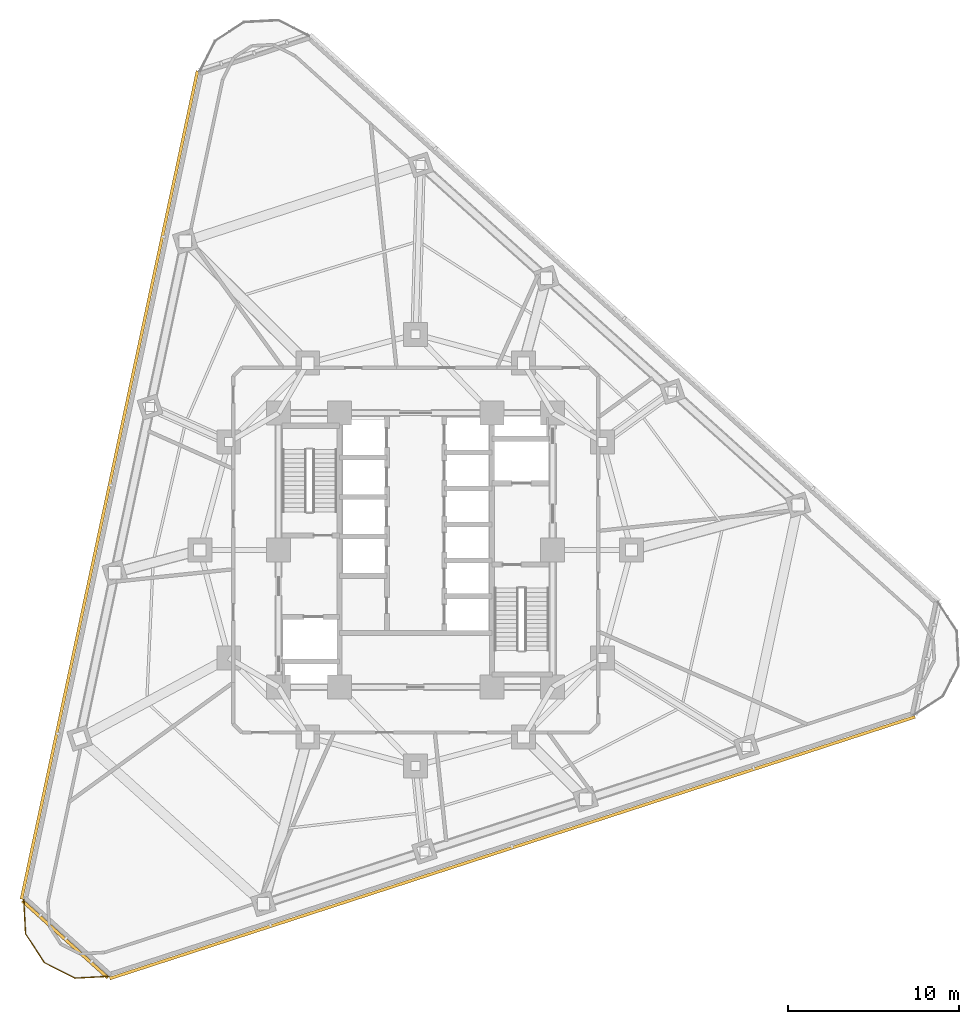
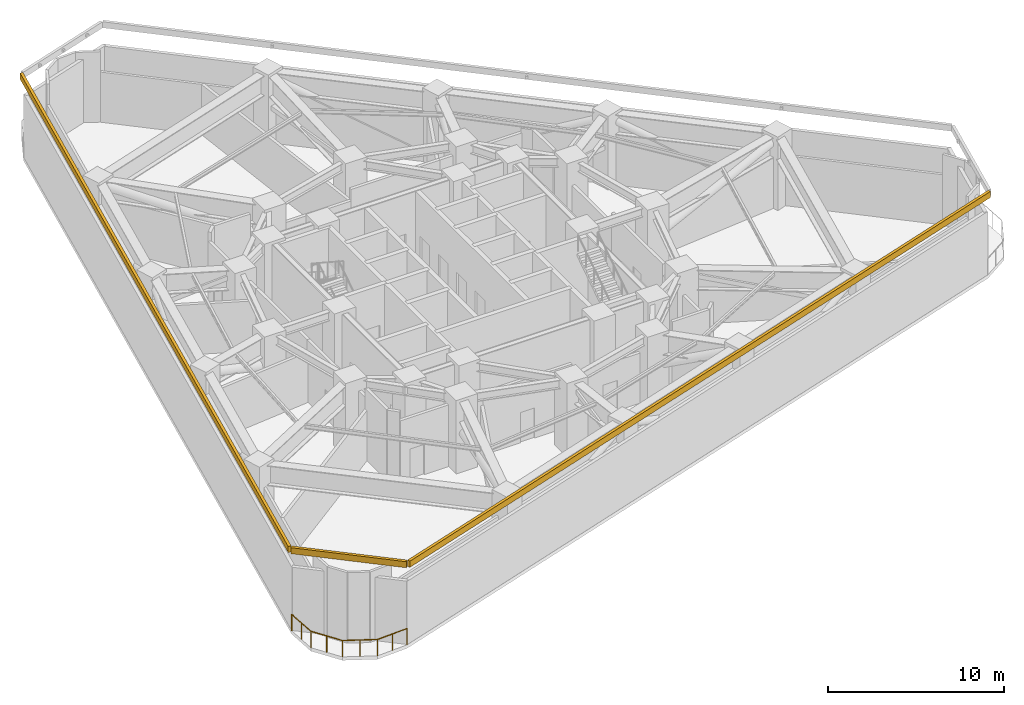
# One storey, part 8 of 10: 3 shading devices, 1 railing.
"""IFC4 building model written with IfcOpenShell, lengths in metres."""

from ifc_helpers import new_model, si_unit, direction, frame, origin, origin_2d, place, context, subcontext, project, spatial, rectangle, circle, extrude, material, layer, layer_set, type_object, element, save


model = new_model("IFC4")

# Units and contexts
model_context = context("Model", 3, precision=1e-05, world=origin(), true_north=direction((0.0, 1.0)))
body_context = subcontext(model_context, "Body", "Model", "MODEL_VIEW")
ifc_project = project(units=[si_unit("LENGTHUNIT", "METRE"), si_unit("AREAUNIT", "SQUARE_METRE"), si_unit("VOLUMEUNIT", "CUBIC_METRE"), si_unit("PLANEANGLEUNIT", "RADIAN"), si_unit("MASSUNIT", "GRAM", prefix="KILO")], contexts=[model_context])

# Site, building, storey
site_placement = place(None, origin())
site = spatial("IfcSite", under=ifc_project, at=site_placement, CompositionType="ELEMENT")
building_placement = place(site_placement, origin())
building = spatial("IfcBuilding", under=site, at=building_placement, Name="Terralouvre Media Tower", CompositionType="ELEMENT")
storey_placement = place(building_placement, frame((0.0, 0.0, 85.199951171875)))
storey = spatial("IfcBuildingStorey", under=building, at=storey_placement, Name="L21", CompositionType="ELEMENT", Elevation=85.199951171875)

# Shading devices
ifc_material_1 = material(Name="Extruded terracotta baguette sunshade louvres", Category="masonry")
shading_device_type = type_object("IfcShadingDeviceType", Name="Refuge Plant Acoustic Terracotta Louvre Grill TB-LV2", PredefinedType="JALOUSIE", material=ifc_material_1)
for number, where, z_axis, x_axis, name in (
    (1, (5.646484375, -17.377685546875, 5.486083984375), (0.0, 0.0, 1.0), (0.951056509451, 0.309017015439, 0.0), "CW-L21-F0 Refuge Acoustic Terracotta Louvre"),
    (2, (-17.872802734375, 3.799072265625, 5.486083984375), (0.0, 0.0, 1.0), (-0.207911643887, -0.978147610709, 0.0), "CW-L21-F2 Refuge Acoustic Terracotta Louvre"),
):
    element("IfcShadingDevice", number, at=place(storey_placement, frame(where, z_axis=z_axis, x_axis=x_axis)), inside=storey, type_object=shading_device_type, Name=name, PredefinedType="JALOUSIE", context=body_context, shape_type="SweptSolid", body=[
        extrude(rectangle(XDim=49.43994140625, YDim=0.179931640625, at=origin_2d()), origin(), (0.0, 0.0, 1.0), 0.419921875),
    ])
shading_device_placement = place(storey_placement, frame((-20.46484375, -22.728515625, 5.486083984375), z_axis=(0.0, 0.0, 1.0), x_axis=(0.743144668471, -0.669130780732, 0.0)))
element("IfcShadingDevice", 3, at=shading_device_placement, inside=storey, type_object=shading_device_type, Name="CW-L21-C0 Refuge Acoustic Terracotta Louvre", PredefinedType="JALOUSIE", context=body_context, shape_type="SweptSolid", body=[
    extrude(rectangle(XDim=6.720458984375, YDim=0.179931640625, at=origin_2d()), origin(), (0.0, 0.0, 1.0), 0.419921875),
])

# Railing
ifc_material_2 = material(Name="Stainless steel 316 handrail and balustrade", Category="steel")
ifc_layer = layer(ifc_material_2, 0.06005859375, Name="Roof Edge Safety Guardrail GR-ROOF1")
ifc_layer_set = layer_set([ifc_layer], Name="Stainless steel 316 handrail and balustrade")
railing_type = type_object("IfcRailingType", Name="Roof Edge Safety Guardrail GR-ROOF1", PredefinedType="GUARDRAIL", material=ifc_layer_set)
railing_placement = place(storey_placement, frame((-22.8837890625, -20.395751953125, 0.0)))
element("IfcRailing", 4, at=railing_placement, inside=storey, type_object=railing_type, Name="L21 Wind-Corner Perimeter Safety Guardrail C0", PredefinedType="GUARDRAIL", context=body_context, shape_type="SweptSolid", body=[
    extrude(circle(Radius=0.02099609375, at=origin_2d()), frame((0.0, 0.0, 1.12890625), z_axis=(0.05204188706, -0.998644902851, 0.0), x_axis=(0.998644902851, 0.05204188706, 0.0)), (0.0, 0.0, 1.0), 2.0078125),
    extrude(circle(Radius=0.02099609375, at=origin_2d()), frame((0.1044921875, -2.005126953125, 1.12890625), z_axis=(0.544556562485, -0.838724120468, 0.0), x_axis=(0.838724120468, 0.544556562485, 0.0)), (0.0, 0.0, 1.0), 2.007568359375),
    extrude(circle(Radius=0.02099609375, at=origin_2d()), frame((1.19775390625, -3.68896484375, 1.12890625), z_axis=(0.891070121909, -0.453865660566, 0.0), x_axis=(0.453865660566, 0.891070121909, 0.0)), (0.0, 0.0, 1.0), 2.007568359375),
    extrude(circle(Radius=0.02099609375, at=origin_2d()), frame((2.986572265625, -4.60009765625, 1.12890625), z_axis=(0.998619508244, 0.052526924091, 0.0), x_axis=(-0.052526924091, 0.998619508244, 0.0)), (0.0, 0.0, 1.0), 2.0078125),
    extrude(circle(Radius=0.01904296875, at=origin_2d()), origin(), (0.0, 0.0, 1.0), 1.10791015625),
    extrude(circle(Radius=0.01904296875, at=origin_2d()), frame((0.05224609375, -1.00244140625, 0.0)), (0.0, 0.0, 1.0), 1.10791015625),
    extrude(circle(Radius=0.01904296875, at=origin_2d()), frame((0.1044921875, -2.005126953125, 0.0)), (0.0, 0.0, 1.0), 1.10791015625),
    extrude(circle(Radius=0.01904296875, at=origin_2d()), frame((0.651123046875, -2.84716796875, 0.0)), (0.0, 0.0, 1.0), 1.10791015625),
    extrude(circle(Radius=0.01904296875, at=origin_2d()), frame((1.19775390625, -3.68896484375, 0.0)), (0.0, 0.0, 1.0), 1.10791015625),
    extrude(circle(Radius=0.01904296875, at=origin_2d()), frame((2.09228515625, -4.14453125, 0.0)), (0.0, 0.0, 1.0), 1.10791015625),
    extrude(circle(Radius=0.01904296875, at=origin_2d()), frame((2.986572265625, -4.60009765625, 0.0)), (0.0, 0.0, 1.0), 1.10791015625),
    extrude(circle(Radius=0.01904296875, at=origin_2d()), frame((3.9892578125, -4.54736328125, 0.0)), (0.0, 0.0, 1.0), 1.10791015625),
    extrude(circle(Radius=0.01904296875, at=origin_2d()), frame((4.99169921875, -4.49462890625, 0.0)), (0.0, 0.0, 1.0), 1.10791015625),
])

save(model, "model.ifc")
